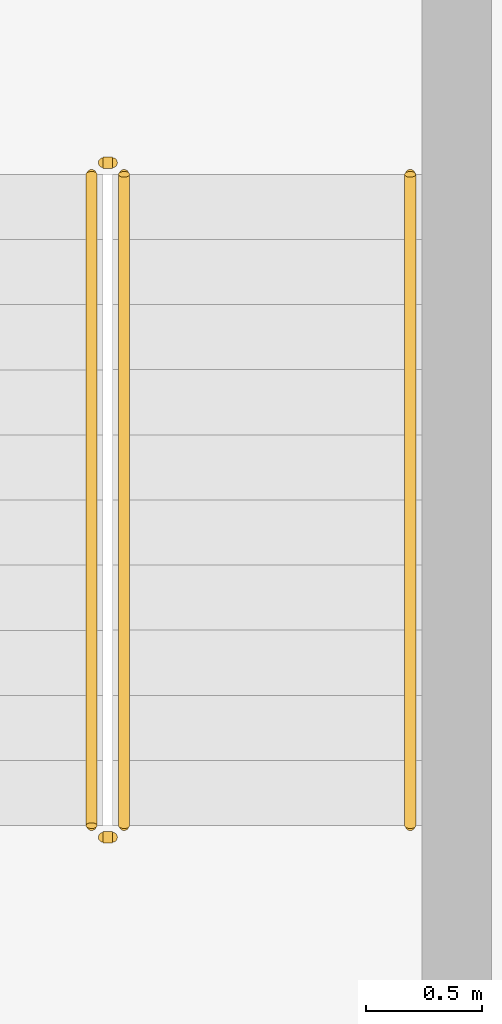
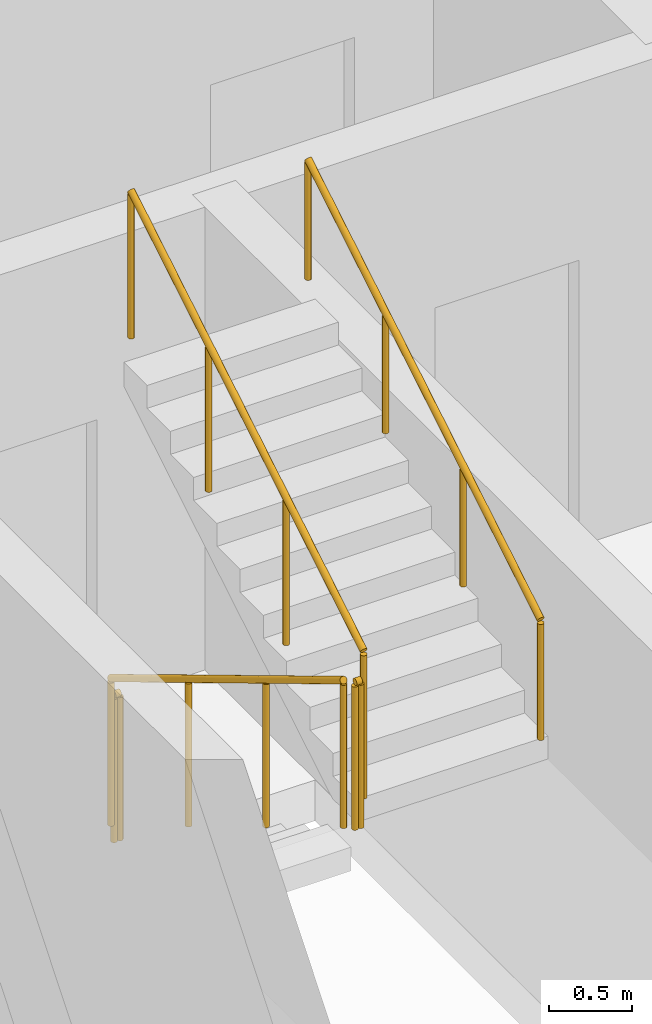
# One storey, part 20 of 22: 5 railings.
"""IFC4 building model written with IfcOpenShell, lengths in metres."""

import ifcopenshell
import ifcopenshell.guid

model = None  # the IFC model being written
_history = None  # IfcOwnerHistory: only IFC2X3 demands one
_inside = {}  # id of a spatial element -> (the spatial element, [elements in it])
_under = {}  # id of a project, library or spatial element -> (it, [spatial elements below it])
_declared = {}  # id of a project -> (the project, [libraries it declares])
_typed = {}  # id of a type object -> (the type object, [elements of that type])
_made_of = {}  # id of a material, layer set ... -> (it, [elements and type objects made of it])


def new_model(schema):
    """Start an empty IFC model of exactly this schema.

    Asked for "IFC4X3", IfcOpenShell would pick the latest addendum, in which some entities
    have other attributes; the version numbers below select the first issue.
    IFC2X3 requires an IfcOwnerHistory on every rooted entity: one is made here for all.
    """
    global model, _history
    if schema == "IFC4X3":
        model = ifcopenshell.file(schema_version=(4, 3, 0, 0))
    else:
        model = ifcopenshell.file(schema=schema)
    _inside.clear()
    _under.clear()
    _declared.clear()
    _typed.clear()
    _made_of.clear()
    _history = None
    if model.schema == "IFC2X3":
        org = make("IfcOrganization", Name="unknown")
        user = make(
            "IfcPersonAndOrganization",
            ThePerson=make("IfcPerson", FamilyName="unknown"),
            TheOrganization=org,
        )
        app = make(
            "IfcApplication",
            ApplicationDeveloper=org,
            Version="unknown",
            ApplicationFullName="unknown",
            ApplicationIdentifier="unknown",
        )
        _history = make(
            "IfcOwnerHistory",
            OwningUser=user,
            OwningApplication=app,
            ChangeAction="ADDED",
            CreationDate=0,
        )
    return model


def make(cls, **values):
    """One entity of the class cls with the attributes given. An attribute that is None is left unset."""
    return model.create_entity(
        cls, **{name: value for name, value in values.items() if value is not None}
    )


def rooted(cls, **values):
    """An entity with a GlobalId (a new one), such as an element, a storey or a relation."""
    return make(cls, GlobalId=ifcopenshell.guid.new(), OwnerHistory=_history, **values)


def si_unit(unit_type, name, prefix=None):
    """IfcSIUnit, for example si_unit("LENGTHUNIT", "METRE", prefix="MILLI")."""
    return make("IfcSIUnit", UnitType=unit_type, Prefix=prefix, Name=name)


def assignment(units):
    """IfcUnitAssignment: the units of a project."""
    return None if units is None else make("IfcUnitAssignment", Units=units)


def point(xyz):
    """IfcCartesianPoint."""
    return None if xyz is None else make("IfcCartesianPoint", Coordinates=xyz)


def direction(xyz):
    """IfcDirection."""
    return None if xyz is None else make("IfcDirection", DirectionRatios=xyz)


def frame(location, z_axis=None, x_axis=None):
    """IfcAxis2Placement3D, a coordinate frame: its origin and axes. An axis left out is left unset."""
    return make(
        "IfcAxis2Placement3D",
        Location=point(location),
        Axis=direction(z_axis),
        RefDirection=direction(x_axis),
    )


def frame_2d(location, x_axis=None):
    """IfcAxis2Placement2D, a coordinate frame in the plane: its origin and x axis."""
    return make(
        "IfcAxis2Placement2D", Location=point(location), RefDirection=direction(x_axis)
    )


def origin():
    """The frame at (0, 0, 0) with its axes left unset."""
    return frame((0.0, 0.0, 0.0))


def origin_2d():
    """The frame at (0, 0) in the plane with its x axis left unset."""
    return frame_2d((0.0, 0.0))


def place(relative_to, where):
    """IfcLocalPlacement: puts the frame where relative to a parent placement (None: the world)."""
    return make(
        "IfcLocalPlacement", PlacementRelTo=relative_to, RelativePlacement=where
    )


def context(
    kind, dimensions, precision=None, world=None, true_north=None, identifier=None
):
    """IfcGeometricRepresentationContext, for example the 3D "Model" context."""
    return make(
        "IfcGeometricRepresentationContext",
        ContextIdentifier=identifier,
        ContextType=kind,
        CoordinateSpaceDimension=dimensions,
        Precision=precision,
        WorldCoordinateSystem=world,
        TrueNorth=true_north,
    )


def subcontext(parent, identifier, kind, view, scale=None):
    """IfcGeometricRepresentationSubContext, for example "Body" below "Model"."""
    return make(
        "IfcGeometricRepresentationSubContext",
        ContextIdentifier=identifier,
        ContextType=kind,
        ParentContext=parent,
        TargetScale=scale,
        TargetView=view,
    )


def project(units=None, contexts=None):
    """IfcProject with its units and contexts."""
    return rooted(
        "IfcProject",
        Name="project",
        RepresentationContexts=contexts,
        UnitsInContext=assignment(units),
    )


def spatial(cls, under=None, at=None, **own):
    """A site, building, storey or space (cls), placed at a placement, below another one or the project."""
    s = rooted(cls, ObjectPlacement=at, **own)
    if under is not None:
        _under.setdefault(under.id(), (under, []))[1].append(s)
    return s


def profile(cls, at=None, kind="AREA", **sizes):
    """A parametric profile (cls). Its sizes go by their IFC names, for example OverallWidth=200.0."""
    return make(cls, ProfileType=kind, Position=at, **sizes)


def circle(**sizes):
    """IfcCircleProfileDef."""
    return profile("IfcCircleProfileDef", **sizes)


def extrude(swept, where, along, depth):
    """IfcExtrudedAreaSolid: the profile swept, set in the frame where, extruded along a direction by depth."""
    return make(
        "IfcExtrudedAreaSolid",
        SweptArea=swept,
        Position=where,
        ExtrudedDirection=direction(along),
        Depth=depth,
    )


def shape(context_of_items, identifier, shape_type, items):
    """IfcShapeRepresentation: the items that make up one representation, for example the "Body"."""
    return make(
        "IfcShapeRepresentation",
        ContextOfItems=context_of_items,
        RepresentationIdentifier=identifier,
        RepresentationType=shape_type,
        Items=items,
    )


def material(Name=None, Category=None):
    """IfcMaterial."""
    return make("IfcMaterial", Name=Name, Category=Category)


def made_of(thing, what):
    """Note that an element or type object is made of a material, layer set ...; save() writes the relation."""
    if what is not None:
        _made_of.setdefault(what.id(), (what, []))[1].append(thing)
    return thing


def type_object(cls, material=None, **own):
    """A type object (cls), such as IfcWallType, which elements share."""
    return made_of(rooted(cls, **own), material)


def element(
    cls,
    number,
    at=None,
    inside=None,
    cuts=None,
    type_object=None,
    material=None,
    context=None,
    identifier="Body",
    shape_type=None,
    held_by="IfcProductDefinitionShape",
    body=None,
    shapes=None,
    **own,
):
    """One element of the class cls, such as IfcWall. Its Tag is "e" and its number.

    at: its placement. inside: the storey or other place that contains it. cuts: it is an
    opening in that element (IfcRelVoidsElement). A single representation is given by context,
    identifier, shape_type and body (its items); several are given by shapes. held_by: the class
    of the entity that holds the representations. save() writes the other relations.
    """
    e = rooted(cls, Tag="e%d" % number, ObjectPlacement=at, **own)
    if body is not None:
        shapes = [shape(context, identifier, shape_type, body)]
    if shapes is not None:
        e.Representation = make(held_by, Representations=shapes)
    if inside is not None:
        _inside.setdefault(inside.id(), (inside, []))[1].append(e)
    if cuts is not None:
        rooted(
            "IfcRelVoidsElement", RelatingBuildingElement=cuts, RelatedOpeningElement=e
        )
    if type_object is not None:
        _typed.setdefault(type_object.id(), (type_object, []))[1].append(e)
    return made_of(e, material)


def aggregate(whole, parts):
    """IfcRelAggregates: a whole, such as a stair, and the parts it consists of."""
    return rooted("IfcRelAggregates", RelatingObject=whole, RelatedObjects=parts)


def save(model, path):
    """Write the relations noted so far, then the file.

    IfcRelAggregates (storeys below a building ...), IfcRelContainedInSpatialStructure (elements
    in a storey), IfcRelDefinesByType, IfcRelAssociatesMaterial and IfcRelDeclares: one each for
    every whole, place, type object, material and project.
    """
    for whole, parts in _under.values():
        aggregate(whole, parts)
    for where, things in _inside.values():
        rooted(
            "IfcRelContainedInSpatialStructure",
            RelatedElements=things,
            RelatingStructure=where,
        )
    for kind, things in _typed.values():
        rooted("IfcRelDefinesByType", RelatedObjects=things, RelatingType=kind)
    for what, things in _made_of.values():
        rooted("IfcRelAssociatesMaterial", RelatedObjects=things, RelatingMaterial=what)
    for by, libraries in _declared.values():
        rooted("IfcRelDeclares", RelatingContext=by, RelatedDefinitions=libraries)
    model.write(path)


model = new_model("IFC4")

# Units and contexts
model_context = context("Model", 3, precision=1e-05, world=origin(), true_north=direction((0.0, 1.0)))
body_context = subcontext(model_context, "Body", "Model", "MODEL_VIEW")
ifc_project = project(units=[si_unit("LENGTHUNIT", "METRE"), si_unit("AREAUNIT", "SQUARE_METRE"), si_unit("VOLUMEUNIT", "CUBIC_METRE"), si_unit("PLANEANGLEUNIT", "RADIAN"), si_unit("MASSUNIT", "GRAM", prefix="KILO")], contexts=[model_context])

# Site, building, storey
site_placement = place(None, origin())
site = spatial("IfcSite", under=ifc_project, at=site_placement, CompositionType="ELEMENT")
building_placement = place(site_placement, origin())
building = spatial("IfcBuilding", under=site, at=building_placement, Name="Ogive Portal Towers", CompositionType="ELEMENT")
storey_placement = place(building_placement, frame((0.0, 0.0, 145.89990234375)))
storey = spatial("IfcBuildingStorey", under=building, at=storey_placement, Name="L35", CompositionType="ELEMENT", Elevation=145.89990234375)

# Railings
ifc_material_1 = material(Name="Stainless steel balustrade", Category="steel")
railing_type_1 = type_object("IfcRailingType", Name="INT-GUARD", PredefinedType="GUARDRAIL", material=ifc_material_1)
railing_1_placement = place(storey_placement, frame((88.280029296875, 29.169921875, 0.168212890625)))
element("IfcRailing", 1, at=railing_1_placement, inside=storey, type_object=railing_type_1, Name="L35 ST-A4 stair guard 1", PredefinedType="GUARDRAIL", context=body_context, shape_type="SweptSolid", body=[
    extrude(circle(Radius=0.02392578125, at=origin_2d()), frame((0.0, 0.0, 1.076171875), z_axis=(0.0, -0.857222391501, 0.514946377315), x_axis=(1.0, 0.0, 0.0)), (0.0, 0.0, 1.0), 3.26611328125),
    extrude(circle(Radius=0.02099609375, at=origin_2d()), origin(), (0.0, 0.0, 1.0), 1.052001953125),
    extrude(circle(Radius=0.02099609375, at=origin_2d()), frame((0.0, -0.933349609375, 0.560546875)), (0.0, 0.0, 1.0), 1.052001953125),
    extrude(circle(Radius=0.02099609375, at=origin_2d()), frame((0.0, -1.866455078125, 1.121337890625)), (0.0, 0.0, 1.0), 1.052001953125),
    extrude(circle(Radius=0.02099609375, at=origin_2d()), frame((0.0, -2.7998046875, 1.681884765625)), (0.0, 0.0, 1.0), 1.052001953125),
])
railing_2_placement = place(storey_placement, frame((88.330078125, 26.320068359375, 1.85009765625)))
element("IfcRailing", 2, at=railing_2_placement, inside=storey, type_object=railing_type_1, Name="L35 ST-A4 stair guard 2", PredefinedType="GUARDRAIL", context=body_context, shape_type="SweptSolid", body=[
    extrude(circle(Radius=0.02392578125, at=origin_2d()), frame((0.0, 0.0, 1.076171875), z_axis=(1.0, 0.0, 0.0), x_axis=(0.0, 1.0, 0.0)), (0.0, 0.0, 1.0), 0.0400390625),
    extrude(circle(Radius=0.02099609375, at=origin_2d()), origin(), (0.0, 0.0, 1.0), 1.052001953125),
    extrude(circle(Radius=0.02099609375, at=origin_2d()), frame((0.0400390625, 0.0, 0.0)), (0.0, 0.0, 1.0), 1.052001953125),
])
railing_3_placement = place(storey_placement, frame((88.419921875, 26.3701171875, 2.018310546875)))
element("IfcRailing", 3, at=railing_3_placement, inside=storey, type_object=railing_type_1, Name="L35 ST-A4 stair guard 3", PredefinedType="GUARDRAIL", context=body_context, shape_type="SweptSolid", body=[
    extrude(circle(Radius=0.02392578125, at=origin_2d()), frame((0.0, 0.0, 1.076171875), z_axis=(0.0, 0.857222391501, 0.514946377315), x_axis=(-1.0, 0.0, 0.0)), (0.0, 0.0, 1.0), 3.26611328125),
    extrude(circle(Radius=0.02099609375, at=origin_2d()), origin(), (0.0, 0.0, 1.0), 1.052001953125),
    extrude(circle(Radius=0.02099609375, at=origin_2d()), frame((0.0, 0.933349609375, 0.560546875)), (0.0, 0.0, 1.0), 1.052001953125),
    extrude(circle(Radius=0.02099609375, at=origin_2d()), frame((0.0, 1.866455078125, 1.121337890625)), (0.0, 0.0, 1.0), 1.052001953125),
    extrude(circle(Radius=0.02099609375, at=origin_2d()), frame((0.0, 2.7998046875, 1.681884765625)), (0.0, 0.0, 1.0), 1.052001953125),
])
railing_4_placement = place(storey_placement, frame((88.330078125, 29.219970703125, 0.0)))
element("IfcRailing", 4, at=railing_4_placement, inside=storey, type_object=railing_type_1, Name="L35 ST-A4 stair guard 4", PredefinedType="GUARDRAIL", context=body_context, shape_type="SweptSolid", body=[
    extrude(circle(Radius=0.02392578125, at=origin_2d()), frame((0.0, 0.0, 1.076171875), z_axis=(1.0, 0.0, 0.0), x_axis=(0.0, 1.0, 0.0)), (0.0, 0.0, 1.0), 0.0400390625),
    extrude(circle(Radius=0.02099609375, at=origin_2d()), origin(), (0.0, 0.0, 1.0), 1.052001953125),
    extrude(circle(Radius=0.02099609375, at=origin_2d()), frame((0.0400390625, 0.0, 0.0)), (0.0, 0.0, 1.0), 1.052001953125),
])
ifc_material_2 = material(Name="Stainless steel handrail", Category="steel")
railing_type_2 = type_object("IfcRailingType", Name="INT-HANDRAIL", PredefinedType="HANDRAIL", material=ifc_material_2)
railing_5_placement = place(storey_placement, frame((89.64990234375, 26.3701171875, 2.018310546875)))
element("IfcRailing", 5, at=railing_5_placement, inside=storey, type_object=railing_type_2, Name="L35 ST-A4 stair handrail 2", PredefinedType="HANDRAIL", context=body_context, shape_type="SweptSolid", body=[
    extrude(circle(Radius=0.02392578125, at=origin_2d()), frame((0.0, 0.0, 0.8759765625), z_axis=(0.0, 0.857222391501, 0.514946377315), x_axis=(-1.0, 0.0, 0.0)), (0.0, 0.0, 1.0), 3.26611328125),
    extrude(circle(Radius=0.02099609375, at=origin_2d()), origin(), (0.0, 0.0, 1.0), 0.851806640625),
    extrude(circle(Radius=0.02099609375, at=origin_2d()), frame((0.0, 0.933349609375, 0.560546875)), (0.0, 0.0, 1.0), 0.851806640625),
    extrude(circle(Radius=0.02099609375, at=origin_2d()), frame((0.0, 1.866455078125, 1.121337890625)), (0.0, 0.0, 1.0), 0.851806640625),
    extrude(circle(Radius=0.02099609375, at=origin_2d()), frame((0.0, 2.7998046875, 1.681884765625)), (0.0, 0.0, 1.0), 0.851806640625),
])

save(model, "model.ifc")
